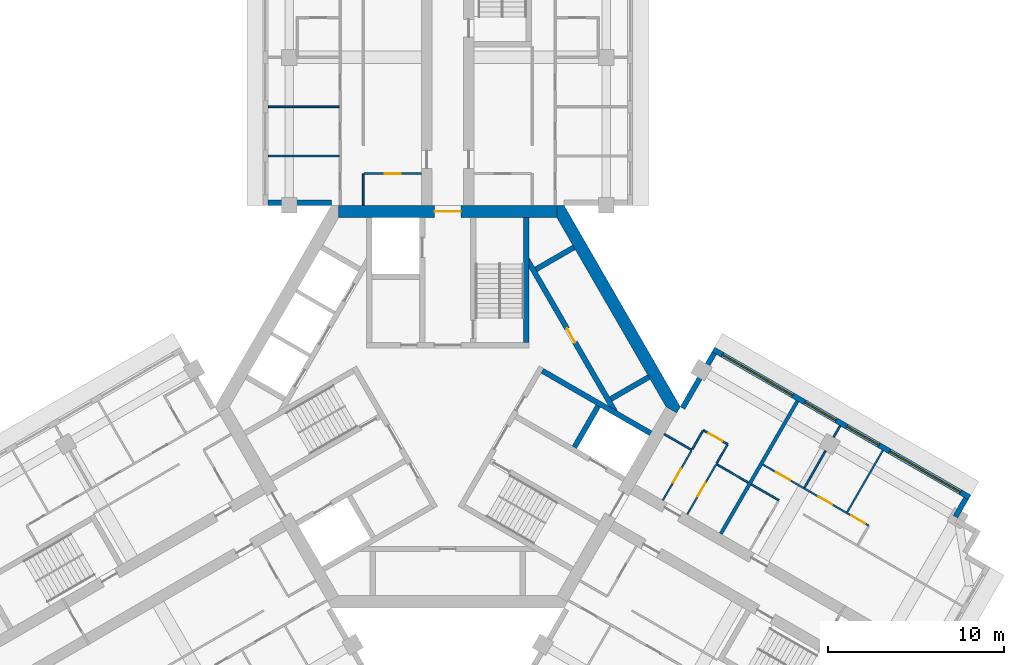
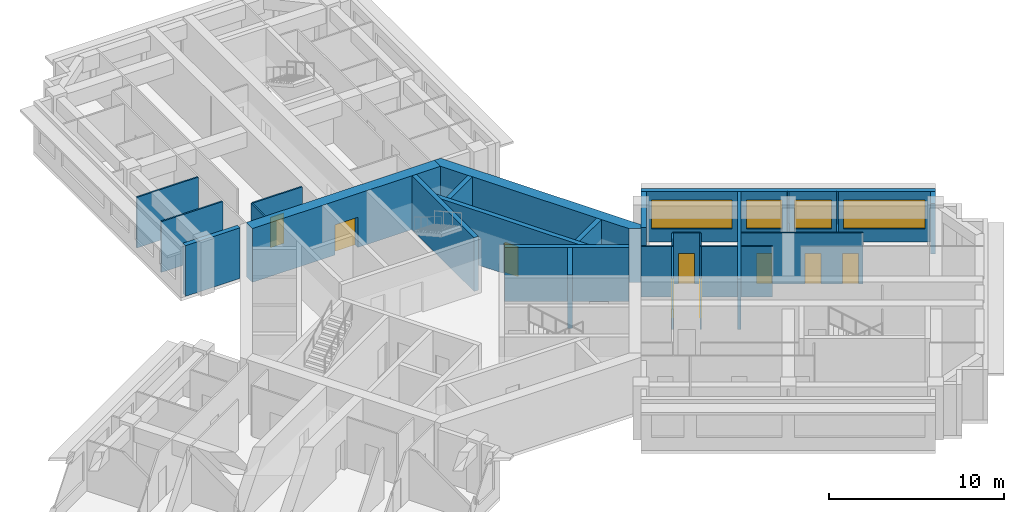
# One storey, part 6 of 10: 29 walls, 9 doors, 4 windows, 13 openings.
"""IFC4 building model written with IfcOpenShell, lengths in metres."""

from ifc_helpers import new_model, si_unit, direction, frame, frame_2d, origin, place, context, subcontext, project, spatial, polyline, rectangle, outline, extrude, material, layer, layer_set, type_object, element, fill, save


model = new_model("IFC4")

# Units and contexts
model_context = context("Model", 3, precision=1e-05, world=origin(), true_north=direction((0.0, 1.0)))
body_context = subcontext(model_context, "Body", "Model", "MODEL_VIEW")
ifc_project = project(units=[si_unit("LENGTHUNIT", "METRE"), si_unit("AREAUNIT", "SQUARE_METRE"), si_unit("VOLUMEUNIT", "CUBIC_METRE"), si_unit("PLANEANGLEUNIT", "RADIAN"), si_unit("MASSUNIT", "GRAM", prefix="KILO")], contexts=[model_context])

# Site, building, storey
site_placement = place(None, origin())
site = spatial("IfcSite", under=ifc_project, at=site_placement, CompositionType="ELEMENT")
building_placement = place(site_placement, origin())
building = spatial("IfcBuilding", under=site, at=building_placement, Name="Impinga Residences", CompositionType="ELEMENT")
storey_placement = place(building_placement, frame((0.0, 0.0, 259.75)))
storey = spatial("IfcBuildingStorey", under=building, at=storey_placement, Name="L65", CompositionType="ELEMENT", Elevation=259.75)

# Walls
ifc_material_1 = material(Name="Terracotta rainscreen on blockwork", Category="masonry")
ifc_layer_1 = layer(ifc_material_1, 0.300048828125)
ifc_layer_set_1 = layer_set([ifc_layer_1], Name="EW1 external wall, terracotta rainscreen on blockwork 300")
wall_type_1 = type_object("IfcWallType", Name="EW1 external wall, terracotta rainscreen on blockwork 300", PredefinedType="SOLIDWALL", material=ifc_layer_set_1)
wall_1_placement = place(storey_placement, frame((-6.60009765625, 11.58154296875, 0.0), z_axis=(0.0, 0.0, 1.0), x_axis=(-1.0, 0.0, 0.0)))
element("IfcWall", 1, at=wall_1_placement, inside=storey, type_object=wall_type_1, Name="External wall EW1 L65", PredefinedType="SOLIDWALL", context=body_context, shape_type="SweptSolid", body=[
    extrude(rectangle(XDim=3.599853515625, YDim=0.300048828125, at=frame_2d((1.7998046875, 0.0))), origin(), (0.0, 0.0, 1.0), 3.530029296875),
])
wall_2_placement = place(storey_placement, frame((13.329833984375, -0.074951171875, 0.0), z_axis=(0.0, 0.0, 1.0), x_axis=(0.500012057535, 0.866018442252, 0.0)))
element("IfcWall", 2, at=wall_2_placement, inside=storey, type_object=wall_type_1, Name="External wall EW1 L65", PredefinedType="SOLIDWALL", context=body_context, shape_type="SweptSolid", body=[
    extrude(rectangle(XDim=3.60009765625, YDim=0.300048828125, at=frame_2d((1.800048828125, 0.0))), origin(), (0.0, 0.0, 1.0), 3.530029296875),
])

# Wall, openings, windows
wall_3_placement = place(storey_placement, frame((15.074951171875, 3.24755859375, 0.0), z_axis=(0.0, 0.0, 1.0), x_axis=(0.86602925447, -0.499993330357, 0.0)))
wall_3 = element("IfcWall", 3, at=wall_3_placement, inside=storey, type_object=wall_type_1, Name="External wall EW1 L65", PredefinedType="SOLIDWALL", context=body_context, shape_type="SweptSolid", body=[
    extrude(rectangle(XDim=16.800048828125, YDim=0.300048828125, at=frame_2d((8.39990234375, 0.0))), origin(), (0.0, 0.0, 1.0), 3.530029296875),
])
opening_1_placement = place(wall_3_placement, frame((0.60009765625, 0.0, 0.89990234375)))
opening_1 = element("IfcOpeningElement", 4, at=opening_1_placement, cuts=wall_3, Name="Opening W3", PredefinedType="OPENING", context=body_context, shape_type="SweptSolid", body=[
    extrude(rectangle(XDim=4.60009765625, YDim=2.050048828125, at=frame_2d((2.300048828125, 1.02490234375))), frame((0.0, 0.159912109375, 0.0), z_axis=(0.0, -1.0, 0.0), x_axis=(1.0, 0.0, 0.0)), (0.0, 0.0, 1.0), 0.320068359375),
])
opening_2_placement = place(wall_3_placement, frame((6.0, 0.0, 0.89990234375)))
opening_2 = element("IfcOpeningElement", 5, at=opening_2_placement, cuts=wall_3, Name="Opening W14", PredefinedType="OPENING", context=body_context, shape_type="SweptSolid", body=[
    extrude(rectangle(XDim=2.050048828125, YDim=2.050048828125, at=frame_2d((1.02490234375, 1.02490234375))), frame((0.0, 0.159912109375, 0.0), z_axis=(0.0, -1.0, 0.0), x_axis=(1.0, 0.0, 0.0)), (0.0, 0.0, 1.0), 0.320068359375),
])
opening_3_placement = place(wall_3_placement, frame((8.75, 0.0, 0.89990234375)))
opening_3 = element("IfcOpeningElement", 6, at=opening_3_placement, cuts=wall_3, Name="Opening W9", PredefinedType="OPENING", context=body_context, shape_type="SweptSolid", body=[
    extrude(rectangle(XDim=2.10009765625, YDim=2.050048828125, at=frame_2d((1.050048828125, 1.02490234375))), frame((0.0, 0.159912109375, 0.0), z_axis=(0.0, -1.0, 0.0), x_axis=(1.0, 0.0, 0.0)), (0.0, 0.0, 1.0), 0.320068359375),
])
opening_4_placement = place(wall_3_placement, frame((11.550048828125, 0.0, 0.89990234375)))
opening_4 = element("IfcOpeningElement", 7, at=opening_4_placement, cuts=wall_3, Name="Opening W10", PredefinedType="OPENING", context=body_context, shape_type="SweptSolid", body=[
    extrude(rectangle(XDim=4.64990234375, YDim=2.050048828125, at=frame_2d((2.324951171875, 1.02490234375))), frame((0.0, 0.159912109375, 0.0), z_axis=(0.0, -1.0, 0.0), x_axis=(1.0, 0.0, 0.0)), (0.0, 0.0, 1.0), 0.320068359375),
])
ifc_material_2 = material(Name="Aluminium window, clear double glazing", Category="aluminium")
window_type_1 = type_object("IfcWindowType", Name="W10 ribbon window 4650x2050", PartitioningType="SINGLE_PANEL", PredefinedType="WINDOW", material=ifc_material_2)
window_1_placement = place(opening_4_placement, origin())
window_1 = element("IfcWindow", 8, at=window_1_placement, inside=storey, type_object=window_type_1, Name="Window L65", OverallHeight=2.050048828125, OverallWidth=4.64990234375, PartitioningType="SINGLE_PANEL", PredefinedType="WINDOW", context=body_context, shape_type="SweptSolid", body=[
    extrude(rectangle(XDim=4.64990234375, YDim=2.050048828125, at=frame_2d((2.324951171875, 1.02490234375))), frame((0.0, 0.030029296875, 0.0), z_axis=(0.0, -1.0, 0.0), x_axis=(1.0, 0.0, 0.0)), (0.0, 0.0, 1.0), 0.06005859375),
])
fill(opening_4, window_1)
window_type_2 = type_object("IfcWindowType", Name="W14 ribbon window 2050x2050", PartitioningType="SINGLE_PANEL", PredefinedType="WINDOW", material=ifc_material_2)
window_2_placement = place(opening_2_placement, origin())
window_2 = element("IfcWindow", 9, at=window_2_placement, inside=storey, type_object=window_type_2, Name="Window L65", OverallHeight=2.050048828125, OverallWidth=2.050048828125, PartitioningType="SINGLE_PANEL", PredefinedType="WINDOW", context=body_context, shape_type="SweptSolid", body=[
    extrude(rectangle(XDim=2.050048828125, YDim=2.050048828125, at=frame_2d((1.02490234375, 1.02490234375))), frame((0.0, 0.030029296875, 0.0), z_axis=(0.0, -1.0, 0.0), x_axis=(1.0, 0.0, 0.0)), (0.0, 0.0, 1.0), 0.06005859375),
])
fill(opening_2, window_2)
window_type_3 = type_object("IfcWindowType", Name="W3 ribbon window 4600x2050", PartitioningType="SINGLE_PANEL", PredefinedType="WINDOW", material=ifc_material_2)
window_3_placement = place(opening_1_placement, origin())
window_3 = element("IfcWindow", 10, at=window_3_placement, inside=storey, type_object=window_type_3, Name="Window L65", OverallHeight=2.050048828125, OverallWidth=4.60009765625, PartitioningType="SINGLE_PANEL", PredefinedType="WINDOW", context=body_context, shape_type="SweptSolid", body=[
    extrude(rectangle(XDim=4.60009765625, YDim=2.050048828125, at=frame_2d((2.300048828125, 1.02490234375))), frame((0.0, 0.030029296875, 0.0), z_axis=(0.0, -1.0, 0.0), x_axis=(1.0, 0.0, 0.0)), (0.0, 0.0, 1.0), 0.06005859375),
])
fill(opening_1, window_3)
window_type_4 = type_object("IfcWindowType", Name="W9 ribbon window 2100x2050", PartitioningType="SINGLE_PANEL", PredefinedType="WINDOW", material=ifc_material_2)
window_4_placement = place(opening_3_placement, origin())
window_4 = element("IfcWindow", 11, at=window_4_placement, inside=storey, type_object=window_type_4, Name="Window L65", OverallHeight=2.050048828125, OverallWidth=2.10009765625, PartitioningType="SINGLE_PANEL", PredefinedType="WINDOW", context=body_context, shape_type="SweptSolid", body=[
    extrude(rectangle(XDim=2.10009765625, YDim=2.050048828125, at=frame_2d((1.050048828125, 1.02490234375))), frame((0.0, 0.030029296875, 0.0), z_axis=(0.0, -1.0, 0.0), x_axis=(1.0, 0.0, 0.0)), (0.0, 0.0, 1.0), 0.06005859375),
])
fill(opening_3, window_4)

# Walls
wall_4_placement = place(storey_placement, frame((29.41943359375, -5.207275390625, 0.0), z_axis=(0.0, 0.0, 1.0), x_axis=(-0.500033551112, -0.866006032174, 0.0)))
element("IfcWall", 12, at=wall_4_placement, inside=storey, type_object=wall_type_1, Name="External wall EW1 L65", PredefinedType="SOLIDWALL", context=body_context, shape_type="SweptSolid", body=[
    extrude(rectangle(XDim=1.2001953125, YDim=0.300048828125, at=frame_2d((0.60009765625, 0.0))), origin(), (0.0, 0.0, 1.0), 3.530029296875),
])
ifc_material_3 = material(Name="Gypsum board on steel studs", Category="steel")
ifc_layer_2 = layer(ifc_material_3, 0.10009765625)
ifc_layer_set_2 = layer_set([ifc_layer_2], Name="Gypsum board on steel studs")
wall_type_2 = type_object("IfcWallType", Name="IP1 partition 100", PredefinedType="PARTITIONING", material=ifc_layer_set_2)
wall_5_placement = place(storey_placement, frame((-4.800048828125, 11.431640625, 0.0), z_axis=(0.0, 0.0, 1.0), x_axis=(0.0, 1.0, 0.0)))
element("IfcWall", 13, at=wall_5_placement, inside=storey, type_object=wall_type_2, Name="Partition L65-NA1:DIV0", PredefinedType="PARTITIONING", context=body_context, shape_type="SweptSolid", body=[
    extrude(rectangle(XDim=1.7998046875, YDim=0.10009765625, at=frame_2d((0.89990234375, 0.0))), origin(), (0.0, 0.0, 1.0), 3.530029296875),
])

# Wall, opening, door
wall_6_placement = place(storey_placement, frame((-1.5, 13.2314453125, 0.0), z_axis=(0.0, 0.0, 1.0), x_axis=(-1.0, 0.0, 0.0)))
wall_6 = element("IfcWall", 14, at=wall_6_placement, inside=storey, type_object=wall_type_2, Name="Partition L65-NA1:IB1", PredefinedType="PARTITIONING", context=body_context, shape_type="SweptSolid", body=[
    extrude(rectangle(XDim=3.25, YDim=0.10009765625, at=frame_2d((1.625, 0.0))), origin(), (0.0, 0.0, 1.0), 3.530029296875),
])
opening_5_placement = place(wall_6_placement, frame((1.175048828125, 0.0, 0.0)))
opening_5 = element("IfcOpeningElement", 15, at=opening_5_placement, cuts=wall_6, Name="Opening D2", PredefinedType="OPENING", context=body_context, shape_type="SweptSolid", body=[
    extrude(rectangle(XDim=0.89990234375, YDim=2.10009765625, at=frame_2d((0.449951171875, 1.050048828125))), frame((0.0, 0.06005859375, 0.0), z_axis=(0.0, -1.0, 0.0), x_axis=(1.0, 0.0, 0.0)), (0.0, 0.0, 1.0), 0.1201171875),
])
ifc_material_4 = material(Name="Timber door set", Category="wood")
door_type_1 = type_object("IfcDoorType", Name="D2 internal door 900x2100", OperationType="SINGLE_SWING_LEFT", PredefinedType="DOOR", material=ifc_material_4)
door_1_placement = place(opening_5_placement, origin())
door_1 = element("IfcDoor", 16, at=door_1_placement, inside=storey, type_object=door_type_1, Name="Apartment L65-NA1 bathroom door", OperationType="SINGLE_SWING_LEFT", OverallHeight=2.10009765625, OverallWidth=0.89990234375, PredefinedType="DOOR", context=body_context, shape_type="SweptSolid", body=[
    extrude(rectangle(XDim=0.89990234375, YDim=2.10009765625, at=frame_2d((0.449951171875, 1.050048828125))), frame((0.0, 0.02490234375, 0.0), z_axis=(0.0, -1.0, 0.0), x_axis=(1.0, 0.0, 0.0)), (0.0, 0.0, 1.0), 0.050048828125),
])
fill(opening_5, door_1)

# Walls
for number, where, z_axis, x_axis, name in (
    (17, (-6.14990234375, 14.2314453125, 0.0), (0.0, 0.0, 1.0), (-1.0, 0.0, 0.0), "Partition L65-NA1:OB1"),
    (18, (-6.14990234375, 17.031494140625, 0.0), (0.0, 0.0, 1.0), (-1.0, 0.0, 0.0), "Partition L65-NA1:OB2"),
):
    element("IfcWall", number, at=place(storey_placement, frame(where, z_axis=z_axis, x_axis=x_axis)), inside=storey, type_object=wall_type_2, Name=name, PredefinedType="PARTITIONING", context=body_context, shape_type="SweptSolid", body=[
        extrude(rectangle(XDim=4.050048828125, YDim=0.10009765625, at=frame_2d((2.02490234375, 0.0))), origin(), (0.0, 0.0, 1.0), 3.530029296875),
    ])
wall_7_placement = place(storey_placement, frame((12.300048828125, -1.558837890625, 0.0), z_axis=(0.0, 0.0, 1.0), x_axis=(0.866047807691, -0.499961193289, 0.0)))
element("IfcWall", 19, at=wall_7_placement, inside=storey, type_object=wall_type_2, Name="Partition L65-EA1:DIV0", PredefinedType="PARTITIONING", context=body_context, shape_type="SweptSolid", body=[
    extrude(rectangle(XDim=1.800048828125, YDim=0.10009765625, at=frame_2d((0.89990234375, 0.0))), origin(), (0.0, 0.0, 1.0), 3.530029296875),
])
wall_8_placement = place(storey_placement, frame((15.244384765625, -3.2587890625, 0.0), z_axis=(0.0, 0.0, 1.0), x_axis=(0.866038466041, -0.499977374825, 0.0)))
element("IfcWall", 20, at=wall_8_placement, inside=storey, type_object=wall_type_2, Name="Partition L65-EA1:DIV1", PredefinedType="PARTITIONING", context=body_context, shape_type="SweptSolid", body=[
    extrude(rectangle(XDim=2.10009765625, YDim=0.10009765625, at=frame_2d((1.050048828125, 0.0))), origin(), (0.0, 0.0, 1.0), 3.530029296875),
])

# Wall, opening, door
wall_9_placement = place(storey_placement, frame((14.5087890625, -1.3330078125, 0.0), z_axis=(0.0, 0.0, 1.0), x_axis=(0.866028054938, -0.499995408039, 0.0)))
wall_9 = element("IfcWall", 21, at=wall_9_placement, inside=storey, type_object=wall_type_2, Name="Partition L65-EA1:STRIP", PredefinedType="PARTITIONING", context=body_context, shape_type="SweptSolid", body=[
    extrude(rectangle(XDim=1.60009765625, YDim=0.10009765625, at=frame_2d((0.800048828125, 0.0))), origin(), (0.0, 0.0, 1.0), 3.530029296875),
])
opening_6_placement = place(wall_9_placement, frame((0.35009765625, 0.0, 0.0)))
opening_6 = element("IfcOpeningElement", 22, at=opening_6_placement, cuts=wall_9, Name="Opening D2", PredefinedType="OPENING", context=body_context, shape_type="SweptSolid", body=[
    extrude(rectangle(XDim=0.89990234375, YDim=2.10009765625, at=frame_2d((0.449951171875, 1.050048828125))), frame((0.0, 0.06005859375, 0.0), z_axis=(0.0, -1.0, 0.0), x_axis=(1.0, 0.0, 0.0)), (0.0, 0.0, 1.0), 0.1201171875),
])
door_2_placement = place(opening_6_placement, origin())
door_2 = element("IfcDoor", 23, at=door_2_placement, inside=storey, type_object=door_type_1, Name="Apartment L65-EA1 room door", OperationType="SINGLE_SWING_LEFT", OverallHeight=2.10009765625, OverallWidth=0.89990234375, PredefinedType="DOOR", context=body_context, shape_type="SweptSolid", body=[
    extrude(rectangle(XDim=0.89990234375, YDim=2.10009765625, at=frame_2d((0.449951171875, 1.050048828125))), frame((0.0, 0.02490234375, 0.0), z_axis=(0.0, -1.0, 0.0), x_axis=(1.0, 0.0, 0.0)), (0.0, 0.0, 1.0), 0.050048828125),
])
fill(opening_6, door_2)

# Walls
wall_10_placement = place(storey_placement, frame((13.8837890625, -2.41552734375, 0.0), z_axis=(0.0, 0.0, 1.0), x_axis=(0.500033551112, 0.866006032174, 0.0)))
element("IfcWall", 24, at=wall_10_placement, inside=storey, type_object=wall_type_2, Name="Partition L65-EA1:SE0", PredefinedType="PARTITIONING", context=body_context, shape_type="SweptSolid", body=[
    extrude(rectangle(XDim=1.2001953125, YDim=0.10009765625, at=frame_2d((0.60009765625, 0.0))), origin(), (0.0, 0.0, 1.0), 3.530029296875),
])
wall_11_placement = place(storey_placement, frame((15.26953125, -3.215576171875, 0.0), z_axis=(0.0, 0.0, 1.0), x_axis=(0.499880961361, 0.866094119867, 0.0)))
element("IfcWall", 25, at=wall_11_placement, inside=storey, type_object=wall_type_2, Name="Partition L65-EA1:SE1", PredefinedType="PARTITIONING", context=body_context, shape_type="SweptSolid", body=[
    extrude(rectangle(XDim=1.199951171875, YDim=0.10009765625, at=frame_2d((0.60009765625, 0.0))), origin(), (0.0, 0.0, 1.0), 3.530029296875),
])

# Wall, opening, door
wall_12_placement = place(storey_placement, frame((12.208740234375, -5.316650390625, 0.0), z_axis=(0.0, 0.0, 1.0), x_axis=(0.500017246033, 0.866015446554, 0.0)))
wall_12 = element("IfcWall", 26, at=wall_12_placement, inside=storey, type_object=wall_type_2, Name="Partition L65-EA1:IB1", PredefinedType="PARTITIONING", context=body_context, shape_type="SweptSolid", body=[
    extrude(rectangle(XDim=3.25, YDim=0.10009765625, at=frame_2d((1.625, 0.0))), origin(), (0.0, 0.0, 1.0), 3.530029296875),
])
opening_7_placement = place(wall_12_placement, frame((1.175048828125, 0.0, 0.0)))
opening_7 = element("IfcOpeningElement", 27, at=opening_7_placement, cuts=wall_12, Name="Opening D2", PredefinedType="OPENING", context=body_context, shape_type="SweptSolid", body=[
    extrude(rectangle(XDim=0.89990234375, YDim=2.10009765625, at=frame_2d((0.449951171875, 1.050048828125))), frame((0.0, 0.06005859375, 0.0), z_axis=(0.0, -1.0, 0.0), x_axis=(1.0, 0.0, 0.0)), (0.0, 0.0, 1.0), 0.1201171875),
])
door_3_placement = place(opening_7_placement, origin())
door_3 = element("IfcDoor", 28, at=door_3_placement, inside=storey, type_object=door_type_1, Name="Apartment L65-EA1 bathroom door", OperationType="SINGLE_SWING_LEFT", OverallHeight=2.10009765625, OverallWidth=0.89990234375, PredefinedType="DOOR", context=body_context, shape_type="SweptSolid", body=[
    extrude(rectangle(XDim=0.89990234375, YDim=2.10009765625, at=frame_2d((0.449951171875, 1.050048828125))), frame((0.0, 0.02490234375, 0.0), z_axis=(0.0, -1.0, 0.0), x_axis=(1.0, 0.0, 0.0)), (0.0, 0.0, 1.0), 0.050048828125),
])
fill(opening_7, door_3)

wall_13_placement = place(storey_placement, frame((13.594482421875, -6.11669921875, 0.0), z_axis=(0.0, 0.0, 1.0), x_axis=(0.500017246033, 0.866015446554, 0.0)))
wall_13 = element("IfcWall", 29, at=wall_13_placement, inside=storey, type_object=wall_type_2, Name="Partition L65-EA1:IB2", PredefinedType="PARTITIONING", context=body_context, shape_type="SweptSolid", body=[
    extrude(rectangle(XDim=3.25, YDim=0.10009765625, at=frame_2d((1.625, 0.0))), origin(), (0.0, 0.0, 1.0), 3.530029296875),
])
opening_8_placement = place(wall_13_placement, frame((1.175048828125, 0.0, 0.0)))
opening_8 = element("IfcOpeningElement", 30, at=opening_8_placement, cuts=wall_13, Name="Opening D2", PredefinedType="OPENING", context=body_context, shape_type="SweptSolid", body=[
    extrude(rectangle(XDim=0.89990234375, YDim=2.10009765625, at=frame_2d((0.449951171875, 1.050048828125))), frame((0.0, 0.06005859375, 0.0), z_axis=(0.0, -1.0, 0.0), x_axis=(1.0, 0.0, 0.0)), (0.0, 0.0, 1.0), 0.1201171875),
])
door_4_placement = place(opening_8_placement, origin())
door_4 = element("IfcDoor", 31, at=door_4_placement, inside=storey, type_object=door_type_1, Name="Apartment L65-EA1 WC door", OperationType="SINGLE_SWING_LEFT", OverallHeight=2.10009765625, OverallWidth=0.89990234375, PredefinedType="DOOR", context=body_context, shape_type="SweptSolid", body=[
    extrude(rectangle(XDim=0.89990234375, YDim=2.10009765625, at=frame_2d((0.449951171875, 1.050048828125))), frame((0.0, 0.02490234375, 0.0), z_axis=(0.0, -1.0, 0.0), x_axis=(1.0, 0.0, 0.0)), (0.0, 0.0, 1.0), 0.050048828125),
])
fill(opening_8, door_4)

# Wall
wall_14_placement = place(storey_placement, frame((17.236328125, -4.408935546875, 0.0), z_axis=(0.0, 0.0, 1.0), x_axis=(0.866047807691, -0.499961193289, 0.0)))
element("IfcWall", 32, at=wall_14_placement, inside=storey, type_object=wall_type_2, Name="Partition L65-EA2:DIV0", PredefinedType="PARTITIONING", context=body_context, shape_type="SweptSolid", body=[
    extrude(rectangle(XDim=1.800048828125, YDim=0.10009765625, at=frame_2d((0.89990234375, 0.0))), origin(), (0.0, 0.0, 1.0), 3.530029296875),
])

# Wall, openings, doors
wall_15_placement = place(storey_placement, frame((17.88623046875, -3.282958984375, 0.0), z_axis=(0.0, 0.0, 1.0), x_axis=(0.866025305473, -0.500000170281, 0.0)))
wall_15 = element("IfcWall", 33, at=wall_15_placement, inside=storey, type_object=wall_type_2, Name="Partition L65-EA2:STRIP", PredefinedType="PARTITIONING", context=body_context, shape_type="SweptSolid", body=[
    extrude(rectangle(XDim=6.9501953125, YDim=0.10009765625, at=frame_2d((3.47509765625, 0.0))), origin(), (0.0, 0.0, 1.0), 3.530029296875),
])
opening_9_placement = place(wall_15_placement, frame((0.875, 0.0, 0.0)))
opening_9 = element("IfcOpeningElement", 34, at=opening_9_placement, cuts=wall_15, Name="Opening D2", PredefinedType="OPENING", context=body_context, shape_type="SweptSolid", body=[
    extrude(rectangle(XDim=0.89990234375, YDim=2.10009765625, at=frame_2d((0.449951171875, 1.050048828125))), frame((0.0, 0.06005859375, 0.0), z_axis=(0.0, -1.0, 0.0), x_axis=(1.0, 0.0, 0.0)), (0.0, 0.0, 1.0), 0.1201171875),
])
opening_10_placement = place(wall_15_placement, frame((3.64990234375, 0.0, 0.0)))
opening_10 = element("IfcOpeningElement", 35, at=opening_10_placement, cuts=wall_15, Name="Opening D2", PredefinedType="OPENING", context=body_context, shape_type="SweptSolid", body=[
    extrude(rectangle(XDim=0.89990234375, YDim=2.10009765625, at=frame_2d((0.449951171875, 1.050048828125))), frame((0.0, 0.06005859375, 0.0), z_axis=(0.0, -1.0, 0.0), x_axis=(1.0, 0.0, 0.0)), (0.0, 0.0, 1.0), 0.1201171875),
])
opening_11_placement = place(wall_15_placement, frame((5.800048828125, 0.0, 0.0)))
opening_11 = element("IfcOpeningElement", 36, at=opening_11_placement, cuts=wall_15, Name="Opening D2", PredefinedType="OPENING", context=body_context, shape_type="SweptSolid", body=[
    extrude(rectangle(XDim=0.89990234375, YDim=2.10009765625, at=frame_2d((0.449951171875, 1.050048828125))), frame((0.0, 0.06005859375, 0.0), z_axis=(0.0, -1.0, 0.0), x_axis=(1.0, 0.0, 0.0)), (0.0, 0.0, 1.0), 0.1201171875),
])
door_5_placement = place(opening_9_placement, origin())
door_5 = element("IfcDoor", 37, at=door_5_placement, inside=storey, type_object=door_type_1, Name="Apartment L65-EA2 room door", OperationType="SINGLE_SWING_LEFT", OverallHeight=2.10009765625, OverallWidth=0.89990234375, PredefinedType="DOOR", context=body_context, shape_type="SweptSolid", body=[
    extrude(rectangle(XDim=0.89990234375, YDim=2.10009765625, at=frame_2d((0.449951171875, 1.050048828125))), frame((0.0, 0.02490234375, 0.0), z_axis=(0.0, -1.0, 0.0), x_axis=(1.0, 0.0, 0.0)), (0.0, 0.0, 1.0), 0.050048828125),
])
fill(opening_9, door_5)
door_6_placement = place(opening_10_placement, origin())
door_6 = element("IfcDoor", 38, at=door_6_placement, inside=storey, type_object=door_type_1, Name="Apartment L65-EA2 room door", OperationType="SINGLE_SWING_RIGHT", OverallHeight=2.10009765625, OverallWidth=0.89990234375, PredefinedType="DOOR", context=body_context, shape_type="SweptSolid", body=[
    extrude(rectangle(XDim=0.89990234375, YDim=2.10009765625, at=frame_2d((0.449951171875, 1.050048828125))), frame((0.0, 0.02490234375, 0.0), z_axis=(0.0, -1.0, 0.0), x_axis=(1.0, 0.0, 0.0)), (0.0, 0.0, 1.0), 0.050048828125),
])
fill(opening_10, door_6)
door_7_placement = place(opening_11_placement, origin())
door_7 = element("IfcDoor", 39, at=door_7_placement, inside=storey, type_object=door_type_1, Name="Apartment L65-EA2 room door", OperationType="SINGLE_SWING_RIGHT", OverallHeight=2.10009765625, OverallWidth=0.89990234375, PredefinedType="DOOR", context=body_context, shape_type="SweptSolid", body=[
    extrude(rectangle(XDim=0.89990234375, YDim=2.10009765625, at=frame_2d((0.449951171875, 1.050048828125))), frame((0.0, 0.02490234375, 0.0), z_axis=(0.0, -1.0, 0.0), x_axis=(1.0, 0.0, 0.0)), (0.0, 0.0, 1.0), 0.050048828125),
])
fill(opening_11, door_7)

# Walls
wall_16_placement = place(storey_placement, frame((20.24951171875, -4.589599609375, 0.0), z_axis=(0.0, 0.0, 1.0), x_axis=(0.500077600433, 0.865980596518, 0.0)))
element("IfcWall", 40, at=wall_16_placement, inside=storey, type_object=wall_type_2, Name="Partition L65-EA2:OB1", PredefinedType="PARTITIONING", context=body_context, shape_type="SweptSolid", body=[
    extrude(rectangle(XDim=2.39990234375, YDim=0.10009765625, at=frame_2d((1.199951171875, 0.0))), origin(), (0.0, 0.0, 1.0), 2.47998046875),
])
wall_17_placement = place(storey_placement, frame((21.899658203125, -1.73193359375, 0.0), z_axis=(0.0, 0.0, 1.0), x_axis=(0.499919672301, 0.866071776036, 0.0)))
element("IfcWall", 41, at=wall_17_placement, inside=storey, type_object=wall_type_2, Name="Partition L65-EA2:OB1b", PredefinedType="PARTITIONING", context=body_context, shape_type="SweptSolid", body=[
    extrude(rectangle(XDim=0.75, YDim=0.10009765625, at=frame_2d((0.375, 0.0))), origin(), (0.0, 0.0, 1.0), 3.530029296875),
])
wall_18_placement = place(storey_placement, frame((22.674560546875, -5.98974609375, 0.0), z_axis=(0.0, 0.0, 1.0), x_axis=(0.499990325971, 0.866030989016, 0.0)))
element("IfcWall", 42, at=wall_18_placement, inside=storey, type_object=wall_type_2, Name="Partition L65-EA2:OB2", PredefinedType="PARTITIONING", context=body_context, shape_type="SweptSolid", body=[
    extrude(rectangle(XDim=4.0498046875, YDim=0.10009765625, at=frame_2d((2.02490234375, 0.0))), origin(), (0.0, 0.0, 1.0), 3.530029296875),
])
ifc_material_5 = material(Name="Concrete blockwork", Category="masonry")
ifc_layer_3 = layer(ifc_material_5, 0.199951171875)
ifc_layer_set_3 = layer_set([ifc_layer_3], Name="PW1 party wall between apartments 200")
wall_type_3 = type_object("IfcWallType", Name="PW1 party wall between apartments 200", PredefinedType="SOLIDWALL", material=ifc_layer_set_3)
wall_19_placement = place(storey_placement, frame((15.499755859375, -7.216796875, 0.0), z_axis=(0.0, 0.0, 1.0), x_axis=(0.500008278454, 0.866020624164, 0.0)))
element("IfcWall", 43, at=wall_19_placement, inside=storey, type_object=wall_type_3, Name="Party wall between apartments L65-EA1:PARTY", PredefinedType="SOLIDWALL", context=body_context, shape_type="SweptSolid", body=[
    extrude(rectangle(XDim=8.699951171875, YDim=0.199951171875, at=frame_2d((4.35009765625, 0.0))), origin(), (0.0, 0.0, 1.0), 3.530029296875),
])

# Wall, opening, door
ifc_material_6 = material(Name="Concrete C60/75", Category="concrete")
ifc_layer_4 = layer(ifc_material_6, 0.699951171875)
ifc_layer_set_4 = layer_set([ifc_layer_4], Name="Concrete C60/75")
wall_type_4 = type_object("IfcWallType", Name="SW3 core wall 700", PredefinedType="SHEAR", material=ifc_layer_set_4)
wall_20_placement = place(storey_placement, frame((-6.19580078125, 11.08154296875, 0.0), z_axis=(0.0, 0.0, 1.0), x_axis=(1.0, 0.0, 0.0)))
wall_20 = element("IfcWall", 44, at=wall_20_placement, inside=storey, type_object=wall_type_4, Name="Core wall SW3 N:FACE L65", PredefinedType="SHEAR", context=body_context, shape_type="SweptSolid", body=[
    extrude(rectangle(XDim=12.3916015625, YDim=0.699951171875, at=frame_2d((6.19580078125, 0.0))), origin(), (0.0, 0.0, 1.0), 3.75),
])
opening_12_placement = place(wall_20_placement, frame((5.44580078125, 0.0, 0.0)))
opening_12 = element("IfcOpeningElement", 45, at=opening_12_placement, cuts=wall_20, Name="Opening D4", PredefinedType="OPENING", context=body_context, shape_type="SweptSolid", body=[
    extrude(rectangle(XDim=1.5, YDim=2.10009765625, at=frame_2d((0.75, 1.050048828125))), frame((0.0, 0.35986328125, 0.0), z_axis=(0.0, -1.0, 0.0), x_axis=(1.0, 0.0, 0.0)), (0.0, 0.0, 1.0), 0.719970703125),
])
door_type_2 = type_object("IfcDoorType", Name="D4 lobby door pair 1500x2100", OperationType="DOUBLE_DOOR_DOUBLE_SWING", PredefinedType="DOOR", material=ifc_material_4)
door_8_placement = place(opening_12_placement, origin())
door_8 = element("IfcDoor", 46, at=door_8_placement, inside=storey, type_object=door_type_2, Name="Lobby door N", OperationType="DOUBLE_DOOR_DOUBLE_SWING", OverallHeight=2.10009765625, OverallWidth=1.5, PredefinedType="DOOR", context=body_context, shape_type="SweptSolid", body=[
    extrude(rectangle(XDim=1.5, YDim=2.10009765625, at=frame_2d((0.75, 1.050048828125))), frame((0.0, 0.02490234375, 0.0), z_axis=(0.0, -1.0, 0.0), x_axis=(1.0, 0.0, 0.0)), (0.0, 0.0, 1.0), 0.050048828125),
])
fill(opening_12, door_8)

# Walls
wall_21_placement = place(storey_placement, origin())
element("IfcWall", 47, at=wall_21_placement, inside=storey, type_object=wall_type_4, Name="Core wall SW3 W:EXPOSED L65", PredefinedType="SHEAR", context=body_context, shape_type="SweptSolid", body=[
    extrude(outline(polyline([(13.199951171875, 0.0), (6.60009765625, 11.431640625), (6.19580078125, 11.431640625), (6.19580078125, 10.7314453125), (12.3916015625, 0.0), (12.998046875, -0.35009765625), (13.199951171875, 0.0)])), origin(), (0.0, 0.0, 1.0), 3.75),
])
ifc_material_7 = material(Name="Concrete C70/85", Category="concrete")
ifc_layer_5 = layer(ifc_material_7, 0.300048828125)
ifc_layer_set_5 = layer_set([ifc_layer_5], Name="Concrete C70/85")
wall_type_5 = type_object("IfcWallType", Name="SW5 core inner wall, stairs, shafts and lobbies 300", PredefinedType="SHEAR", material=ifc_layer_set_5)
for number, where, z_axis, x_axis, name in (
    (48, (4.449951171875, 3.6298828125, 0.0), (0.0, 0.0, 1.0), (0.0, 1.0, 0.0), "Core wall SW5 N:ST-OUT L65"),
    (49, (5.36865234375, 2.038818359375, 0.0), (0.0, 0.0, 1.0), (0.866025859768, -0.499999210213, 0.0), "Core wall SW5 E:FF-OUT L65"),
):
    element("IfcWall", number, at=place(storey_placement, frame(where, z_axis=z_axis, x_axis=x_axis)), inside=storey, type_object=wall_type_5, Name=name, PredefinedType="SHEAR", context=body_context, shape_type="SweptSolid", body=[
        extrude(rectangle(XDim=7.1015625, YDim=0.300048828125, at=frame_2d((3.55078125, 0.0))), origin(), (0.0, 0.0, 1.0), 3.75),
    ])
wall_22_placement = place(storey_placement, frame((8.541259765625, 0.033935546875, 0.0), z_axis=(0.0, 0.0, 1.0), x_axis=(-0.50000943426, -0.866019956843, 0.0)))
element("IfcWall", 50, at=wall_22_placement, inside=storey, type_object=wall_type_5, Name="Core wall SW5 E:FF-RS L65", PredefinedType="SHEAR", context=body_context, shape_type="SweptSolid", body=[
    extrude(rectangle(XDim=2.7001953125, YDim=0.300048828125, at=frame_2d((1.35009765625, 0.0))), origin(), (0.0, 0.0, 1.0), 3.75),
])

# Wall, opening, door
wall_23_placement = place(storey_placement, frame((4.449951171875, 8.455322265625, 0.0), z_axis=(0.0, 0.0, 1.0), x_axis=(0.500002290144, -0.866024081565, 0.0)))
wall_23 = element("IfcWall", 51, at=wall_23_placement, inside=storey, type_object=wall_type_5, Name="Core wall SW5 W:BANK-FRONT L65", PredefinedType="SHEAR", context=body_context, shape_type="SweptSolid", body=[
    extrude(rectangle(XDim=10.1953125, YDim=0.300048828125, at=frame_2d((5.09765625, 0.0))), origin(), (0.0, 0.0, 1.0), 3.75),
])
opening_13_placement = place(wall_23_placement, frame((4.647705078125, 0.0, 0.0)))
opening_13 = element("IfcOpeningElement", 52, at=opening_13_placement, cuts=wall_23, Name="Opening D6", PredefinedType="OPENING", context=body_context, shape_type="SweptSolid", body=[
    extrude(rectangle(XDim=0.89990234375, YDim=2.10009765625, at=frame_2d((0.449951171875, 1.050048828125))), frame((0.0, 0.159912109375, 0.0), z_axis=(0.0, -1.0, 0.0), x_axis=(1.0, 0.0, 0.0)), (0.0, 0.0, 1.0), 0.320068359375),
])
door_type_3 = type_object("IfcDoorType", Name="D6 riser and store door 900x2100", OperationType="SINGLE_SWING_LEFT", PredefinedType="DOOR", material=ifc_material_4)
door_9_placement = place(opening_13_placement, origin())
door_9 = element("IfcDoor", 53, at=door_9_placement, inside=storey, type_object=door_type_3, Name="Residents' parcel room door", OperationType="SINGLE_SWING_RIGHT", OverallHeight=2.10009765625, OverallWidth=0.89990234375, PredefinedType="DOOR", context=body_context, shape_type="SweptSolid", body=[
    extrude(rectangle(XDim=0.89990234375, YDim=2.10009765625, at=frame_2d((0.449951171875, 1.050048828125))), frame((0.0, 0.02490234375, 0.0), z_axis=(0.0, -1.0, 0.0), x_axis=(1.0, 0.0, 0.0)), (0.0, 0.0, 1.0), 0.050048828125),
])
fill(opening_13, door_9)

# Walls
for number, where, z_axis, x_axis, name in (
    (54, (5.003662109375, 7.79638671875, 0.0), (0.0, 0.0, 1.0), (0.866022959057, 0.500004234368, 0.0), "Core wall SW5 W:BANK-L L65"),
    (55, (9.253662109375, 0.43505859375, 0.0), (0.0, 0.0, 1.0), (0.866022959057, 0.500004234368, 0.0), "Core wall SW5 W:BANK-R L65"),
):
    element("IfcWall", number, at=place(storey_placement, frame(where, z_axis=z_axis, x_axis=x_axis)), inside=storey, type_object=wall_type_5, Name=name, PredefinedType="SHEAR", context=body_context, shape_type="SweptSolid", body=[
        extrude(rectangle(XDim=2.5, YDim=0.300048828125, at=frame_2d((1.25, 0.0))), origin(), (0.0, 0.0, 1.0), 3.75),
    ])

save(model, "model.ifc")
